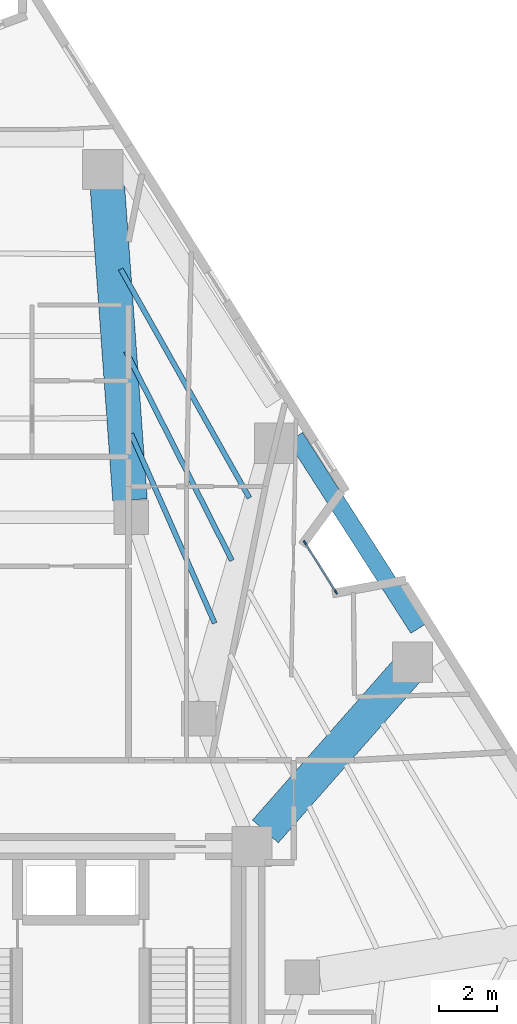
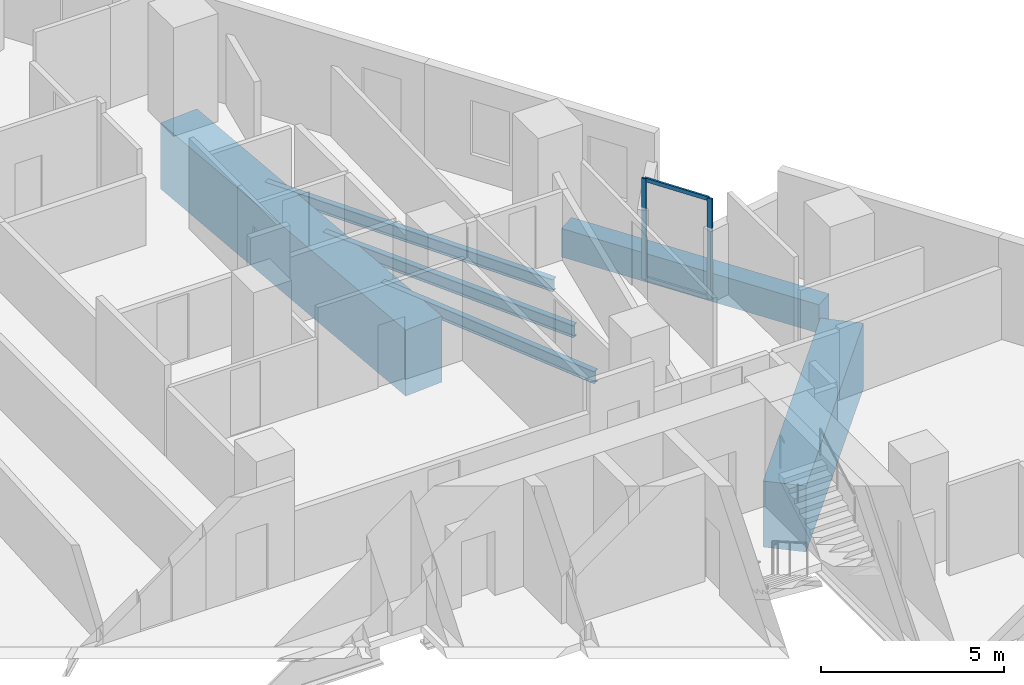
# One storey, part 5 of 13: 6 beams, 4 members, 1 element without a shape of its own.
"""IFC4 building model written with IfcOpenShell, lengths in metres."""

from ifc_helpers import new_model, si_unit, direction, frame, origin, origin_2d, place, context, subcontext, project, spatial, rectangle, i_section, extrude, material, layer, layer_set, material_profile, profile_set, type_object, element, aggregate, save


model = new_model("IFC4")

# Units and contexts
model_context = context("Model", 3, precision=1e-05, world=origin(), true_north=direction((0.0, 1.0)))
body_context = subcontext(model_context, "Body", "Model", "MODEL_VIEW")
ifc_project = project(units=[si_unit("LENGTHUNIT", "METRE"), si_unit("AREAUNIT", "SQUARE_METRE"), si_unit("VOLUMEUNIT", "CUBIC_METRE"), si_unit("PLANEANGLEUNIT", "RADIAN"), si_unit("MASSUNIT", "GRAM", prefix="KILO")], contexts=[model_context])

# Site, building, storey
site_placement = place(None, origin())
site = spatial("IfcSite", under=ifc_project, at=site_placement, CompositionType="ELEMENT")
building_placement = place(site_placement, origin())
building = spatial("IfcBuilding", under=site, at=building_placement, Name="Almagre Mirador Tower", CompositionType="ELEMENT")
storey_placement = place(building_placement, frame((0.0, 0.0, 53.39990234375)))
storey = spatial("IfcBuildingStorey", under=building, at=storey_placement, Name="L12", CompositionType="ELEMENT", Elevation=53.39990234375)

# Beams
ifc_material_1 = material(Name="Steel ASTM A992 Grade 50", Category="steel")
ifc_material_profile_1 = material_profile(ifc_material_1, i_section(OverallWidth=0.178955078125, OverallDepth=0.408935546875, WebThickness=0.0087890625, FlangeThickness=0.014404296875, FilletRadius=0.013916015625, at=origin_2d()), Name="W16X45")
ifc_profile_set_1 = profile_set([ifc_material_profile_1], Name="Steel ASTM A992 Grade 50")
beam_type_1 = type_object("IfcBeamType", Name="BM-JST-W16X45", PredefinedType="JOIST", material=ifc_profile_set_1)
beam_1_placement = place(storey_placement, frame((46.95751953125, 26.86865234375, -0.454345703125), z_axis=(-0.490125381696, 0.871651943276, 0.0), x_axis=(-0.871651943276, -0.490125381696, 0.0)))
element("IfcBeam", 1, at=beam_1_placement, inside=storey, type_object=beam_type_1, Name="L12 secondary floor joist PC07-PC08.1", PredefinedType="JOIST", context=body_context, shape_type="SweptSolid", body=[
    extrude(i_section(OverallWidth=0.178955078125, OverallDepth=0.408935546875, WebThickness=0.0087890625, FlangeThickness=0.014404296875, FilletRadius=0.013916015625, at=origin_2d()), origin(), (0.0, 0.0, 1.0), 9.129638671875),
])
beam_2_placement = place(storey_placement, frame((46.3515625, 24.691162109375, -0.454345703125), z_axis=(-0.452034049682, 0.892000682695, 0.0), x_axis=(-0.892000682695, -0.452034049682, 0.0)))
element("IfcBeam", 2, at=beam_2_placement, inside=storey, type_object=beam_type_1, Name="L12 secondary floor joist PC07-PC08.2", PredefinedType="JOIST", context=body_context, shape_type="SweptSolid", body=[
    extrude(i_section(OverallWidth=0.178955078125, OverallDepth=0.408935546875, WebThickness=0.0087890625, FlangeThickness=0.014404296875, FilletRadius=0.013916015625, at=origin_2d()), origin(), (0.0, 0.0, 1.0), 8.1533203125),
])
beam_3_placement = place(storey_placement, frame((45.751708984375, 22.51513671875, -0.454345703125), z_axis=(-0.404038463633, 0.91474199636, 0.0), x_axis=(-0.91474199636, -0.404038463633, 0.0)))
element("IfcBeam", 3, at=beam_3_placement, inside=storey, type_object=beam_type_1, Name="L12 secondary floor joist PC07-PC08.3", PredefinedType="JOIST", context=body_context, shape_type="SweptSolid", body=[
    extrude(i_section(OverallWidth=0.178955078125, OverallDepth=0.408935546875, WebThickness=0.0087890625, FlangeThickness=0.014404296875, FilletRadius=0.013916015625, at=origin_2d()), origin(), (0.0, 0.0, 1.0), 7.198486328125),
])
ifc_material_2 = material(Name="Precast concrete C50/60", Category="concrete")
ifc_material_profile_2 = material_profile(ifc_material_2, rectangle(XDim=0.60009765625, YDim=0.949951171875, at=origin_2d()), Name="RC600X950")
ifc_profile_set_2 = profile_set([ifc_material_profile_2], Name="Precast concrete C50/60")
beam_type_2 = type_object("IfcBeamType", Name="BM-SPN-RC600X950", PredefinedType="SPANDREL", material=ifc_profile_set_2)
beam_4_placement = place(storey_placement, frame((52.82421875, 22.322509765625, -0.724853515625), z_axis=(-0.539540486584, 0.841959656597, 0.0), x_axis=(-0.841959656597, -0.539540486584, 0.0)))
element("IfcBeam", 4, at=beam_4_placement, inside=storey, type_object=beam_type_2, Name="L12 perimeter spandrel beam PC06-PC07", PredefinedType="SPANDREL", context=body_context, shape_type="SweptSolid", body=[
    extrude(rectangle(XDim=0.60009765625, YDim=0.949951171875, at=origin_2d()), origin(), (0.0, 0.0, 1.0), 7.911376953125),
])
ifc_material_3 = material(Name="Concrete C60/75", Category="concrete")
ifc_material_profile_3 = material_profile(ifc_material_3, rectangle(XDim=1.199951171875, YDim=2.199951171875, at=origin_2d()), Name="RC1200X2200")
ifc_profile_set_3 = profile_set([ifc_material_profile_3], Name="Concrete C60/75")
beam_type_3 = type_object("IfcBeamType", Name="BM-XFER-RC1200X2200", PredefinedType="BEAM", material=ifc_profile_set_3)
beam_5_placement = place(storey_placement, frame((52.7392578125, 21.207763671875, -1.349853515625), z_axis=(-0.661045445009, -0.750345866673, 0.0), x_axis=(0.750345866673, -0.661045445009, 0.0)))
element("IfcBeam", 5, at=beam_5_placement, inside=storey, type_object=beam_type_3, Name="L12 radial transfer girder PC06-CC6", PredefinedType="BEAM", context=body_context, shape_type="SweptSolid", body=[
    extrude(rectangle(XDim=1.199951171875, YDim=2.199951171875, at=origin_2d()), origin(), (0.0, 0.0, 1.0), 7.906494140625),
])
beam_6_placement = place(storey_placement, frame((41.948486328125, 38.6748046875, -1.349853515625), z_axis=(0.072089216544, -0.997398187715, 0.0), x_axis=(0.997398187715, 0.072089216544, 0.0)))
element("IfcBeam", 6, at=beam_6_placement, inside=storey, type_object=beam_type_3, Name="L12 radial transfer girder PC08-MC6", PredefinedType="BEAM", context=body_context, shape_type="SweptSolid", body=[
    extrude(rectangle(XDim=1.199951171875, YDim=2.199951171875, at=origin_2d()), origin(), (0.0, 0.0, 1.0), 11.907470703125),
])

# Curtain wall, members
ifc_material_4 = material(Name="Black anodized aluminium", Category="aluminium")
ifc_layer = layer(ifc_material_4, 0.169921875)
ifc_layer_set = layer_set([ifc_layer], Name="Black anodized aluminium")
curtain_wall_type = type_object("IfcCurtainWallType", Name="CW-CRS-SYS", PredefinedType="NOTDEFINED", material=ifc_layer_set)
curtain_wall_placement = place(storey_placement, origin())
curtain_wall = element("IfcCurtainWall", 7, at=curtain_wall_placement, inside=storey, type_object=curtain_wall_type, Name="L12 vertical crease curtain wall 03", PredefinedType="NOTDEFINED")
ifc_material_5 = material(Name="Black anodized aluminium", Category="aluminium")
ifc_material_profile_4 = material_profile(ifc_material_5, rectangle(XDim=0.06005859375, YDim=0.14990234375, at=origin_2d()), Name="CWM60X150")
ifc_profile_set_4 = profile_set([ifc_material_profile_4], Name="Black anodized aluminium")
member_type_1 = type_object("IfcMemberType", Name="MBR-CWM60X150", PredefinedType="MULLION", material=ifc_profile_set_4)
member_1_placement = place(storey_placement, frame((48.889892578125, 25.315673828125, 0.0), z_axis=(0.0, 0.0, 1.0), x_axis=(0.846975175549, 0.531632440698, 0.0)))
member_1 = element("IfcMember", 8, at=member_1_placement, type_object=member_type_1, Name="CW-4 mullion 1", PredefinedType="MULLION", context=body_context, shape_type="SweptSolid", body=[
    extrude(rectangle(XDim=0.06005859375, YDim=0.14990234375, at=origin_2d()), origin(), (0.0, 0.0, 1.0), 3.35009765625),
])
member_2_placement = place(storey_placement, frame((49.968994140625, 23.596435546875, 0.0), z_axis=(0.0, 0.0, 1.0), x_axis=(0.846975175549, 0.531632440698, 0.0)))
member_2 = element("IfcMember", 9, at=member_2_placement, type_object=member_type_1, Name="CW-4 mullion 2", PredefinedType="MULLION", context=body_context, shape_type="SweptSolid", body=[
    extrude(rectangle(XDim=0.06005859375, YDim=0.14990234375, at=origin_2d()), origin(), (0.0, 0.0, 1.0), 3.35009765625),
])
ifc_material_6 = material(Name="Black anodized aluminium", Category="aluminium")
ifc_material_profile_5 = material_profile(ifc_material_6, rectangle(XDim=0.06005859375, YDim=0.1298828125, at=origin_2d()), Name="CWT60X130")
ifc_profile_set_5 = profile_set([ifc_material_profile_5], Name="Black anodized aluminium")
member_type_2 = type_object("IfcMemberType", Name="MBR-CWT60X130", PredefinedType="USERDEFINED", material=ifc_profile_set_5)
member_3_placement = place(storey_placement, frame((48.906005859375, 25.290283203125, 0.030029296875), z_axis=(0.531579997446, -0.847008091057, 0.0), x_axis=(0.847008091057, 0.531579997446, 0.0)))
member_3 = element("IfcMember", 10, at=member_3_placement, type_object=member_type_2, Name="CW-4 transom 1.1", ObjectType="TRANSOM", PredefinedType="USERDEFINED", context=body_context, shape_type="SweptSolid", body=[
    extrude(rectangle(XDim=0.06005859375, YDim=0.1298828125, at=origin_2d()), origin(), (0.0, 0.0, 1.0), 1.9697265625),
])
member_4_placement = place(storey_placement, frame((48.906005859375, 25.290283203125, 3.320068359375), z_axis=(0.531579997446, -0.847008091057, 0.0), x_axis=(0.847008091057, 0.531579997446, 0.0)))
member_4 = element("IfcMember", 11, at=member_4_placement, type_object=member_type_2, Name="CW-4 transom 1.2", ObjectType="TRANSOM", PredefinedType="USERDEFINED", context=body_context, shape_type="SweptSolid", body=[
    extrude(rectangle(XDim=0.06005859375, YDim=0.1298828125, at=origin_2d()), origin(), (0.0, 0.0, 1.0), 1.9697265625),
])
aggregate(curtain_wall, [member_1, member_2, member_3, member_4])

save(model, "model.ifc")
